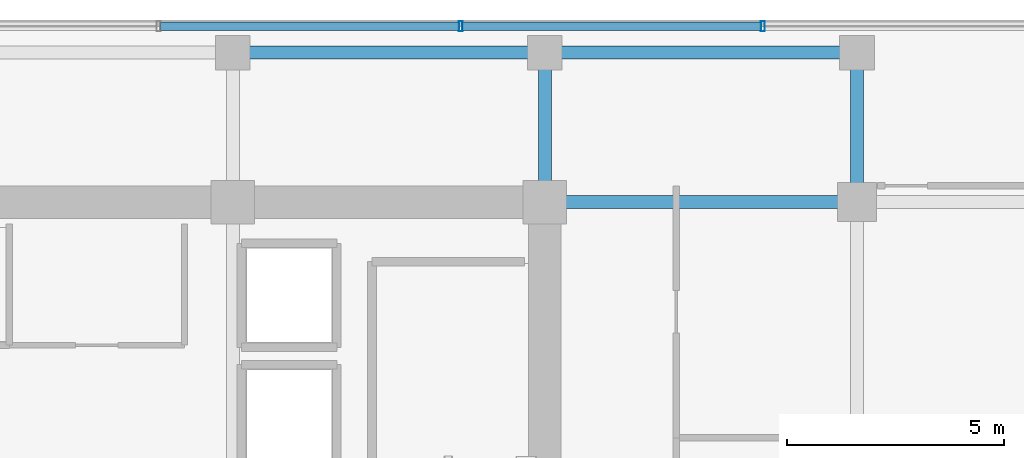
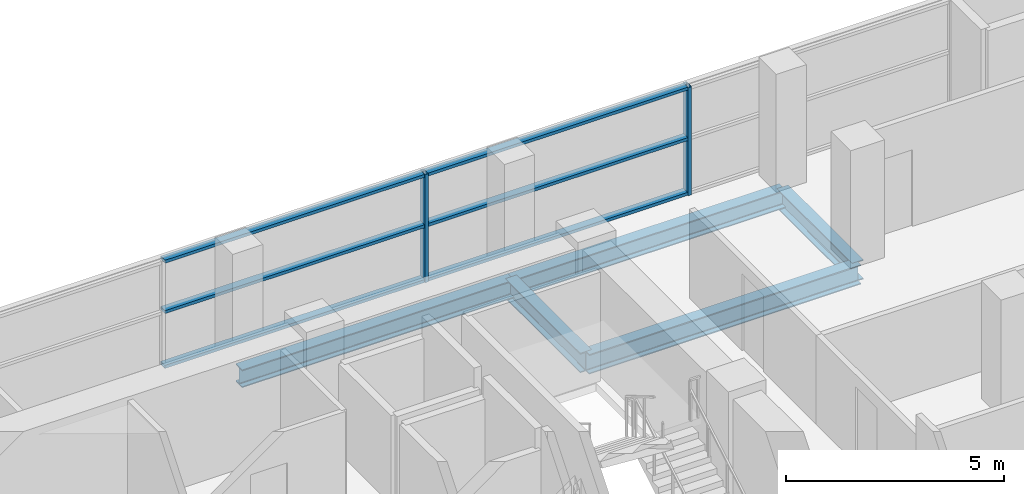
# One storey, part 12 of 22: 8 members, 5 beams, 1 element without a shape of its own.
"""IFC4 building model written with IfcOpenShell, lengths in metres."""

from ifc_helpers import new_model, si_unit, direction, frame, origin, origin_2d, place, context, subcontext, project, spatial, hollow_rectangle, i_section, extrude, source, transform, mapped, material, layer, layer_set, material_profile, profile_set, type_object, element, aggregate, save


model = new_model("IFC4")

# Units and contexts
model_context = context("Model", 3, precision=1e-05, world=origin(), true_north=direction((0.0, 1.0)))
body_context = subcontext(model_context, "Body", "Model", "MODEL_VIEW")
ifc_project = project(units=[si_unit("LENGTHUNIT", "METRE"), si_unit("AREAUNIT", "SQUARE_METRE"), si_unit("VOLUMEUNIT", "CUBIC_METRE"), si_unit("PLANEANGLEUNIT", "RADIAN"), si_unit("MASSUNIT", "GRAM", prefix="KILO")], contexts=[model_context])

# Site, building, storey
site_placement = place(None, origin())
site = spatial("IfcSite", under=ifc_project, at=site_placement, CompositionType="ELEMENT")
building_placement = place(site_placement, origin())
building = spatial("IfcBuilding", under=site, at=building_placement, Name="Zarnakvel Exchange Tower", CompositionType="ELEMENT")
storey_placement = place(building_placement, frame((0.0, 0.0, 136.300048828125)))
storey = spatial("IfcBuildingStorey", under=building, at=storey_placement, Name="L38", CompositionType="ELEMENT", Elevation=136.300048828125)

# Beams
ifc_material_1 = material(Name="Steel S355", Category="steel")
ifc_material_profile_1 = material_profile(ifc_material_1, i_section(OverallWidth=0.300048828125, OverallDepth=0.550048828125, WebThickness=0.014892578125, FlangeThickness=0.029052734375, FilletRadius=0.027099609375, at=origin_2d()))
ifc_profile_set_1 = profile_set([ifc_material_profile_1], Name="Steel S355")
beam_type_1 = type_object("IfcBeamType", Name="G-05", PredefinedType="BEAM", material=ifc_profile_set_1)
beam_1_placement = place(storey_placement, frame((14.39990234375, 13.5, -0.5), z_axis=(1.0, 0.0, 0.0), x_axis=(0.0, 1.0, 0.0)))
element("IfcBeam", 1, at=beam_1_placement, inside=storey, type_object=beam_type_1, Name="L38 Tower E-W Frame Beam", PredefinedType="BEAM", context=body_context, shape_type="SweptSolid", body=[
    extrude(i_section(OverallWidth=0.300048828125, OverallDepth=0.550048828125, WebThickness=0.014892578125, FlangeThickness=0.029052734375, FilletRadius=0.027099609375, at=origin_2d()), origin(), (0.0, 0.0, 1.0), 7.2001953125),
])
for number, where, z_axis, x_axis, name in (
    (2, (14.39990234375, 13.5, -0.5), (0.0, 1.0, 0.0), (-1.0, 0.0, 0.0), "L38 Tower N-S Frame Beam"),
    (3, (21.60009765625, 13.5, -0.5), (0.0, 1.0, 0.0), (-1.0, 0.0, 0.0), "L38 Tower N-S Frame Beam"),
):
    element("IfcBeam", number, at=place(storey_placement, frame(where, z_axis=z_axis, x_axis=x_axis)), inside=storey, type_object=beam_type_1, Name=name, PredefinedType="BEAM", context=body_context, shape_type="SweptSolid", body=[
        extrude(i_section(OverallWidth=0.300048828125, OverallDepth=0.550048828125, WebThickness=0.014892578125, FlangeThickness=0.029052734375, FilletRadius=0.027099609375, at=origin_2d()), origin(), (0.0, 0.0, 1.0), 3.449951171875),
    ])
ifc_material_profile_2 = material_profile(ifc_material_1, i_section(OverallWidth=0.300048828125, OverallDepth=0.5, WebThickness=0.014404296875, FlangeThickness=0.028076171875, FilletRadius=0.027099609375, at=origin_2d()))
ifc_profile_set_2 = profile_set([ifc_material_profile_2], Name="Steel S355")
beam_type_2 = type_object("IfcBeamType", Name="SP-02", PredefinedType="SPANDREL", material=ifc_profile_set_2)
beam_2_placement = place(storey_placement, frame((7.199951171875, 16.949951171875, -0.47509765625), z_axis=(1.0, 0.0, 0.0), x_axis=(0.0, 1.0, 0.0)))
element("IfcBeam", 4, at=beam_2_placement, inside=storey, type_object=beam_type_2, Name="L38 Tower E-W Frame Beam", PredefinedType="SPANDREL", context=body_context, shape_type="SweptSolid", body=[
    extrude(i_section(OverallWidth=0.300048828125, OverallDepth=0.5, WebThickness=0.014404296875, FlangeThickness=0.028076171875, FilletRadius=0.027099609375, at=origin_2d()), origin(), (0.0, 0.0, 1.0), 7.199951171875),
])
beam_3_placement = place(storey_placement, frame((14.39990234375, 16.949951171875, -0.47509765625), z_axis=(1.0, 0.0, 0.0), x_axis=(0.0, 1.0, 0.0)))
element("IfcBeam", 5, at=beam_3_placement, inside=storey, type_object=beam_type_2, Name="L38 Tower E-W Frame Beam", PredefinedType="SPANDREL", context=body_context, shape_type="SweptSolid", body=[
    extrude(i_section(OverallWidth=0.300048828125, OverallDepth=0.5, WebThickness=0.014404296875, FlangeThickness=0.028076171875, FilletRadius=0.027099609375, at=origin_2d()), origin(), (0.0, 0.0, 1.0), 7.2001953125),
])

# Curtain wall, members
ifc_material_2 = material(Name="Architectural Bronze Anodised Aluminium", Category="aluminium")
ifc_layer = layer(ifc_material_2, 0.239990234375)
ifc_layer_set = layer_set([ifc_layer], Name="Architectural Bronze Anodised Aluminium")
curtain_wall_type = type_object("IfcCurtainWallType", Name="CW-02", PredefinedType="NOTDEFINED", material=ifc_layer_set)
curtain_wall_placement = place(storey_placement, origin())
curtain_wall = element("IfcCurtainWall", 6, at=curtain_wall_placement, inside=storey, type_object=curtain_wall_type, Name="L38 Curtain Wall CW-L38-N1 (CW-02)", PredefinedType="NOTDEFINED")
ifc_material_profile_3 = material_profile(ifc_material_2, hollow_rectangle(XDim=0.239990234375, YDim=0.090087890625, WallThickness=0.006103515625, at=origin_2d()))
ifc_profile_set_3 = profile_set([ifc_material_profile_3], Name="Architectural Bronze Anodised Aluminium")
member_type_1 = type_object("IfcMemberType", Name="CWM-02", PredefinedType="MULLION", material=ifc_profile_set_3)
shared_shape_1 = source(origin(), body_context, "Body", "SweptSolid", [
    extrude(hollow_rectangle(XDim=0.239990234375, YDim=0.090087890625, WallThickness=0.006103515625, at=origin_2d()), origin(), (0.0, 0.0, 1.0), 3.030029296875),
])
member_1_placement = place(storey_placement, frame((12.45703125, 17.56005859375, 0.0), z_axis=(0.0, 0.0, 1.0), x_axis=(0.0, 1.0, 0.0)))
member_1 = element("IfcMember", 7, at=member_1_placement, type_object=member_type_1, Name="CW-02 mullion 6", PredefinedType="MULLION", context=body_context, shape_type="MappedRepresentation", body=[
    mapped(shared_shape_1, transform((0.0, 0.0, 0.0), x_axis=(1.0, 0.0, 0.0), y_axis=(0.0, 1.0, 0.0), z_axis=(0.0, 0.0, 1.0), scale=1.0)),
])
member_2_placement = place(storey_placement, frame((19.428466796875, 17.56005859375, 0.0), z_axis=(0.0, 0.0, 1.0), x_axis=(0.0, 1.0, 0.0)))
member_2 = element("IfcMember", 8, at=member_2_placement, type_object=member_type_1, Name="CW-02 mullion 7", PredefinedType="MULLION", context=body_context, shape_type="MappedRepresentation", body=[
    mapped(shared_shape_1, transform((0.0, 0.0, 0.0), x_axis=(1.0, 0.0, 0.0), y_axis=(0.0, 1.0, 0.0), z_axis=(0.0, 0.0, 1.0), scale=1.0)),
])
ifc_material_profile_4 = material_profile(ifc_material_2, hollow_rectangle(XDim=0.199951171875, YDim=0.0849609375, WallThickness=0.0048828125, at=origin_2d()))
ifc_profile_set_4 = profile_set([ifc_material_profile_4], Name="Architectural Bronze Anodised Aluminium")
member_type_2 = type_object("IfcMemberType", Name="CWT-02", PredefinedType="USERDEFINED", material=ifc_profile_set_4)
shared_shape_2 = source(origin(), body_context, "Body", "SweptSolid", [
    extrude(hollow_rectangle(XDim=0.199951171875, YDim=0.0849609375, WallThickness=0.0048828125, at=origin_2d()), origin(), (0.0, 0.0, 1.0), 6.88134765625),
])
member_3_placement = place(storey_placement, frame((5.53076171875, 17.56005859375, 0.04248046875), z_axis=(1.0, 0.0, 0.0), x_axis=(0.0, 1.0, 0.0)))
member_3 = element("IfcMember", 9, at=member_3_placement, type_object=member_type_2, Name="CW-02 transom 5.1", ObjectType="TRANSOM", PredefinedType="USERDEFINED", context=body_context, shape_type="MappedRepresentation", body=[
    mapped(shared_shape_2, transform((0.0, 0.0, 0.0), x_axis=(1.0, 0.0, 0.0), y_axis=(0.0, 1.0, 0.0), z_axis=(0.0, 0.0, 1.0), scale=1.0)),
])
member_4_placement = place(storey_placement, frame((5.53076171875, 17.56005859375, 1.575439453125), z_axis=(1.0, 0.0, 0.0), x_axis=(0.0, 1.0, 0.0)))
member_4 = element("IfcMember", 10, at=member_4_placement, type_object=member_type_2, Name="CW-02 transom 5.2", ObjectType="TRANSOM", PredefinedType="USERDEFINED", context=body_context, shape_type="MappedRepresentation", body=[
    mapped(shared_shape_2, transform((0.0, 0.0, 0.0), x_axis=(1.0, 0.0, 0.0), y_axis=(0.0, 1.0, 0.0), z_axis=(0.0, 0.0, 1.0), scale=1.0)),
])
member_5_placement = place(storey_placement, frame((5.53076171875, 17.56005859375, 2.987548828125), z_axis=(1.0, 0.0, 0.0), x_axis=(0.0, 1.0, 0.0)))
member_5 = element("IfcMember", 11, at=member_5_placement, type_object=member_type_2, Name="CW-02 transom 5.3", ObjectType="TRANSOM", PredefinedType="USERDEFINED", context=body_context, shape_type="MappedRepresentation", body=[
    mapped(shared_shape_2, transform((0.0, 0.0, 0.0), x_axis=(1.0, 0.0, 0.0), y_axis=(0.0, 1.0, 0.0), z_axis=(0.0, 0.0, 1.0), scale=1.0)),
])
member_6_placement = place(storey_placement, frame((12.502197265625, 17.56005859375, 0.04248046875), z_axis=(1.0, 0.0, 0.0), x_axis=(0.0, 1.0, 0.0)))
member_6 = element("IfcMember", 12, at=member_6_placement, type_object=member_type_2, Name="CW-02 transom 6.1", ObjectType="TRANSOM", PredefinedType="USERDEFINED", context=body_context, shape_type="MappedRepresentation", body=[
    mapped(shared_shape_2, transform((0.0, 0.0, 0.0), x_axis=(1.0, 0.0, 0.0), y_axis=(0.0, 1.0, 0.0), z_axis=(0.0, 0.0, 1.0), scale=1.0)),
])
member_7_placement = place(storey_placement, frame((12.502197265625, 17.56005859375, 1.575439453125), z_axis=(1.0, 0.0, 0.0), x_axis=(0.0, 1.0, 0.0)))
member_7 = element("IfcMember", 13, at=member_7_placement, type_object=member_type_2, Name="CW-02 transom 6.2", ObjectType="TRANSOM", PredefinedType="USERDEFINED", context=body_context, shape_type="MappedRepresentation", body=[
    mapped(shared_shape_2, transform((0.0, 0.0, 0.0), x_axis=(1.0, 0.0, 0.0), y_axis=(0.0, 1.0, 0.0), z_axis=(0.0, 0.0, 1.0), scale=1.0)),
])
member_8_placement = place(storey_placement, frame((12.502197265625, 17.56005859375, 2.987548828125), z_axis=(1.0, 0.0, 0.0), x_axis=(0.0, 1.0, 0.0)))
member_8 = element("IfcMember", 14, at=member_8_placement, type_object=member_type_2, Name="CW-02 transom 6.3", ObjectType="TRANSOM", PredefinedType="USERDEFINED", context=body_context, shape_type="MappedRepresentation", body=[
    mapped(shared_shape_2, transform((0.0, 0.0, 0.0), x_axis=(1.0, 0.0, 0.0), y_axis=(0.0, 1.0, 0.0), z_axis=(0.0, 0.0, 1.0), scale=1.0)),
])
aggregate(curtain_wall, [member_1, member_2, member_3, member_4, member_5, member_6, member_7, member_8])

save(model, "model.ifc")
